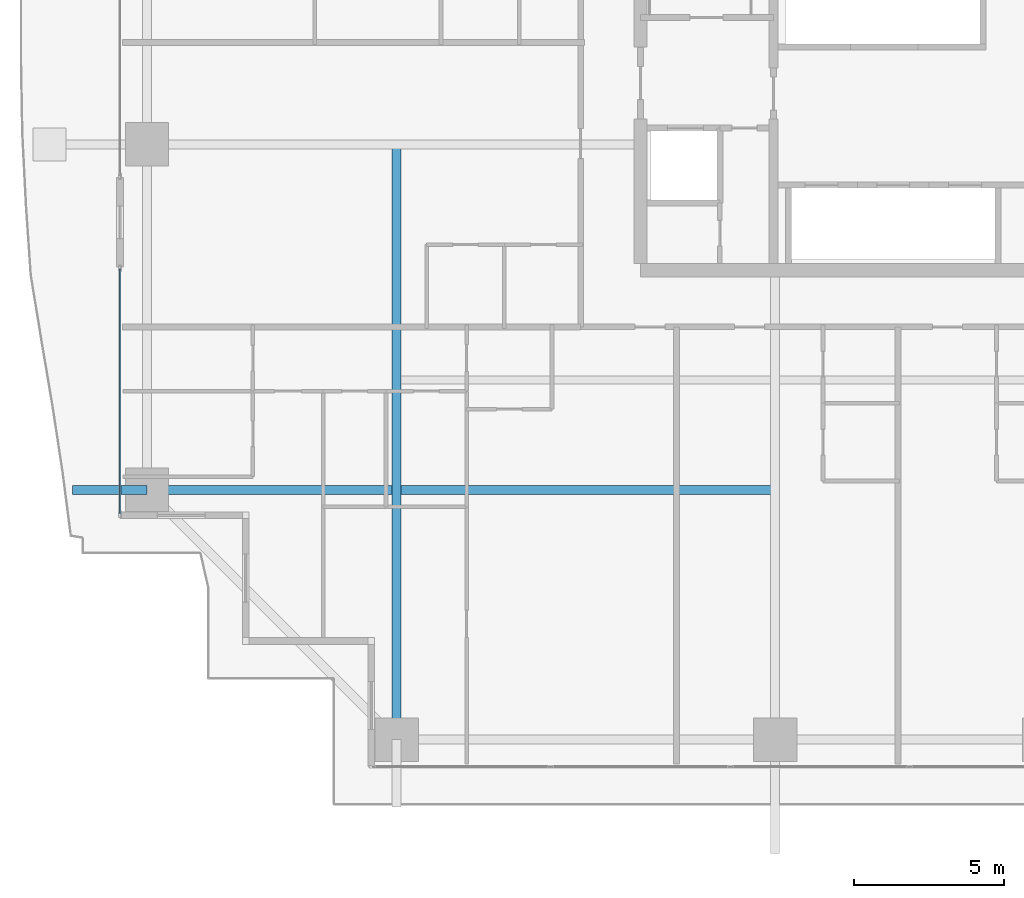
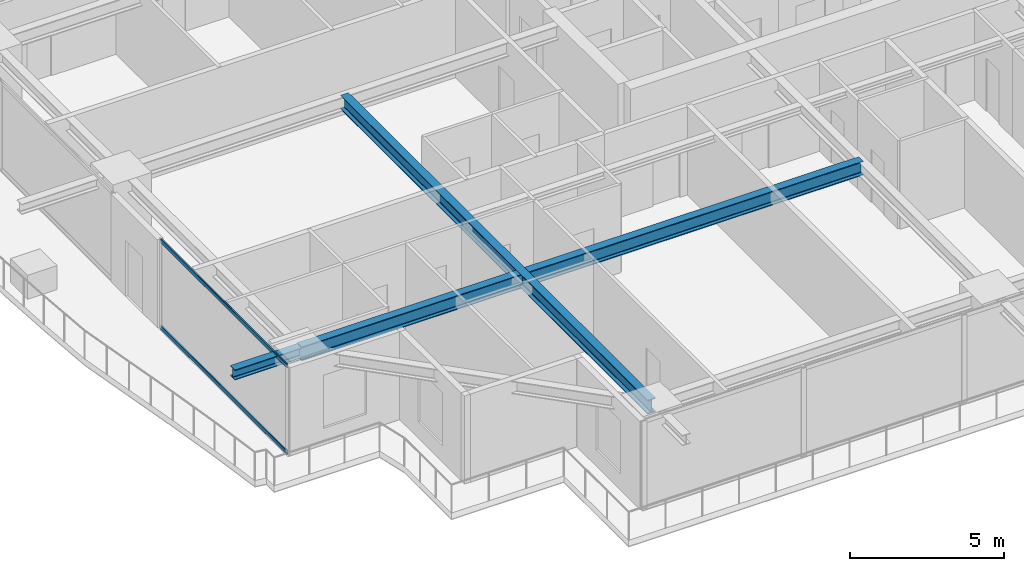
# One storey, part 3 of 36: 3 beams, 2 members, 1 element without a shape of its own.
"""IFC4 building model written with IfcOpenShell, lengths in metres."""

from ifc_helpers import new_model, si_unit, direction, frame, origin, origin_2d, place, context, subcontext, project, spatial, hollow_rectangle, i_section, extrude, source, transform, mapped, material, layer, layer_set, material_profile, profile_set, type_object, element, aggregate, save


model = new_model("IFC4")

# Units and contexts
model_context = context("Model", 3, precision=1e-05, world=origin(), true_north=direction((0.0, 1.0)))
body_context = subcontext(model_context, "Body", "Model", "MODEL_VIEW")
ifc_project = project(units=[si_unit("LENGTHUNIT", "METRE"), si_unit("AREAUNIT", "SQUARE_METRE"), si_unit("VOLUMEUNIT", "CUBIC_METRE"), si_unit("PLANEANGLEUNIT", "RADIAN"), si_unit("MASSUNIT", "GRAM", prefix="KILO")], contexts=[model_context])

# Site, building, storey
site_placement = place(None, origin())
site = spatial("IfcSite", under=ifc_project, at=site_placement, CompositionType="ELEMENT")
building_placement = place(site_placement, origin())
building = spatial("IfcBuilding", under=site, at=building_placement, Name="Serunith Strait Residences", CompositionType="ELEMENT")
storey_placement = place(building_placement, frame((0.0, 0.0, 86.699951171875)))
storey = spatial("IfcBuildingStorey", under=building, at=storey_placement, Name="L21", CompositionType="ELEMENT", Elevation=86.699951171875)

# Beams
ifc_material_1 = material(Name="Steel S355J2", Category="steel")
ifc_material_profile_1 = material_profile(ifc_material_1, i_section(OverallWidth=0.300048828125, OverallDepth=0.550048828125, WebThickness=0.014892578125, FlangeThickness=0.029052734375, FilletRadius=0.027099609375, at=origin_2d()), Name="HEB 550")
ifc_profile_set_1 = profile_set([ifc_material_profile_1], Name="Steel S355J2")
beam_type_1 = type_object("IfcBeamType", Name="BM-HEB550", PredefinedType="BEAM", material=ifc_profile_set_1)
shared_shape_1 = source(origin(), body_context, "Body", "SweptSolid", [
    extrude(i_section(OverallWidth=0.300048828125, OverallDepth=0.550048828125, WebThickness=0.014892578125, FlangeThickness=0.029052734375, FilletRadius=0.027099609375, at=origin_2d()), origin(), (0.0, 0.0, 1.0), 19.89990234375),
])
beam_1_placement = place(storey_placement, frame((15.25, 21.0, 3.212158203125), z_axis=(0.0, -1.0, 0.0), x_axis=(1.0, 0.0, 0.0)))
element("IfcBeam", 1, at=beam_1_placement, inside=storey, type_object=beam_type_1, Name="L21 Orthogonal Corner Girder TC-S1", PredefinedType="BEAM", context=body_context, shape_type="MappedRepresentation", body=[
    mapped(shared_shape_1, transform((0.0, 0.0, 0.0), scale=1.0)),
])
shared_shape_2 = source(origin(), body_context, "Body", "SweptSolid", [
    extrude(i_section(OverallWidth=0.300048828125, OverallDepth=0.550048828125, WebThickness=0.014892578125, FlangeThickness=0.029052734375, FilletRadius=0.027099609375, at=origin_2d()), origin(), (0.0, 0.0, 1.0), 21.0),
])
beam_2_placement = place(storey_placement, frame((27.89990234375, 9.449951171875, 3.212158203125), z_axis=(-1.0, 0.0, 0.0), x_axis=(0.0, -1.0, 0.0)))
element("IfcBeam", 2, at=beam_2_placement, inside=storey, type_object=beam_type_1, Name="L21 Orthogonal Corner Girder TC-W1", PredefinedType="BEAM", context=body_context, shape_type="MappedRepresentation", body=[
    mapped(shared_shape_2, transform((0.0, 0.0, 0.0), scale=1.0)),
])
ifc_material_profile_2 = material_profile(ifc_material_1, i_section(OverallWidth=0.300048828125, OverallDepth=0.39990234375, WebThickness=0.013427734375, FlangeThickness=0.02392578125, FilletRadius=0.027099609375, at=origin_2d()), Name="HEB 400")
ifc_profile_set_2 = profile_set([ifc_material_profile_2], Name="Steel S355J2")
beam_type_2 = type_object("IfcBeamType", Name="BM-HEB400", PredefinedType="BEAM", material=ifc_profile_set_2)
shared_shape_3 = source(origin(), body_context, "Body", "SweptSolid", [
    extrude(i_section(OverallWidth=0.300048828125, OverallDepth=0.39990234375, WebThickness=0.013427734375, FlangeThickness=0.02392578125, FilletRadius=0.027099609375, at=origin_2d()), origin(), (0.0, 0.0, 1.0), 2.49658203125),
])
beam_3_placement = place(storey_placement, frame((6.89990234375, 9.449951171875, 3.257080078125), z_axis=(-1.0, 0.0, 0.0), x_axis=(0.0, -1.0, 0.0)))
element("IfcBeam", 3, at=beam_3_placement, inside=storey, type_object=beam_type_2, Name="L22 Cantilevered Balcony Rib TC-W1", PredefinedType="BEAM", context=body_context, shape_type="MappedRepresentation", body=[
    mapped(shared_shape_3, transform((0.0, 0.0, 0.0), scale=1.0)),
])

# Curtain wall, members
ifc_material_2 = material(Name="Pale-Champagne Anodised Aluminium", Category="aluminium")
ifc_layer = layer(ifc_material_2, 0.199951171875, Name="Pale-Champagne Anodised Aluminium")
ifc_layer_set = layer_set([ifc_layer], Name="Pale-Champagne Anodised Aluminium")
curtain_wall_type = type_object("IfcCurtainWallType", Name="CW-SYS1", PredefinedType="NOTDEFINED", material=ifc_layer_set)
curtain_wall_placement = place(storey_placement, origin())
curtain_wall = element("IfcCurtainWall", 4, at=curtain_wall_placement, inside=storey, type_object=curtain_wall_type, Name="L21 W Unitised Fritted Curtain Wall", PredefinedType="NOTDEFINED")
ifc_material_profile_3 = material_profile(ifc_material_2, hollow_rectangle(XDim=0.06005859375, YDim=0.159912109375, WallThickness=0.00341796875, InnerFilletRadius=0.00537109375, OuterFilletRadius=0.0087890625, at=origin_2d()), Name="ALU 160x60x3.5")
ifc_profile_set_3 = profile_set([ifc_material_profile_3], Name="Pale-Champagne Anodised Aluminium")
member_type = type_object("IfcMemberType", Name="CW-SYS1-TRAN", PredefinedType="USERDEFINED", material=ifc_profile_set_3)
shared_shape_4 = source(origin(), body_context, "Body", "SweptSolid", [
    extrude(hollow_rectangle(XDim=0.06005859375, YDim=0.159912109375, WallThickness=0.00341796875, InnerFilletRadius=0.00537109375, OuterFilletRadius=0.0087890625, at=origin_2d()), origin(), (0.0, 0.0, 1.0), 8.16015625),
])
member_1_placement = place(storey_placement, frame((6.0, 16.830078125, 0.030029296875), z_axis=(0.0, -1.0, 0.0), x_axis=(1.0, 0.0, 0.0)))
member_1 = element("IfcMember", 5, at=member_1_placement, type_object=member_type, Name="CW-1 transom 1.1", ObjectType="TRANSOM", PredefinedType="USERDEFINED", context=body_context, shape_type="MappedRepresentation", body=[
    mapped(shared_shape_4, transform((0.0, 0.0, 0.0), scale=1.0)),
])
member_2_placement = place(storey_placement, frame((6.0, 16.830078125, 3.445068359375), z_axis=(0.0, -1.0, 0.0), x_axis=(1.0, 0.0, 0.0)))
member_2 = element("IfcMember", 6, at=member_2_placement, type_object=member_type, Name="CW-1 transom 1.2", ObjectType="TRANSOM", PredefinedType="USERDEFINED", context=body_context, shape_type="MappedRepresentation", body=[
    mapped(shared_shape_4, transform((0.0, 0.0, 0.0), scale=1.0)),
])
aggregate(curtain_wall, [member_1, member_2])

save(model, "model.ifc")
